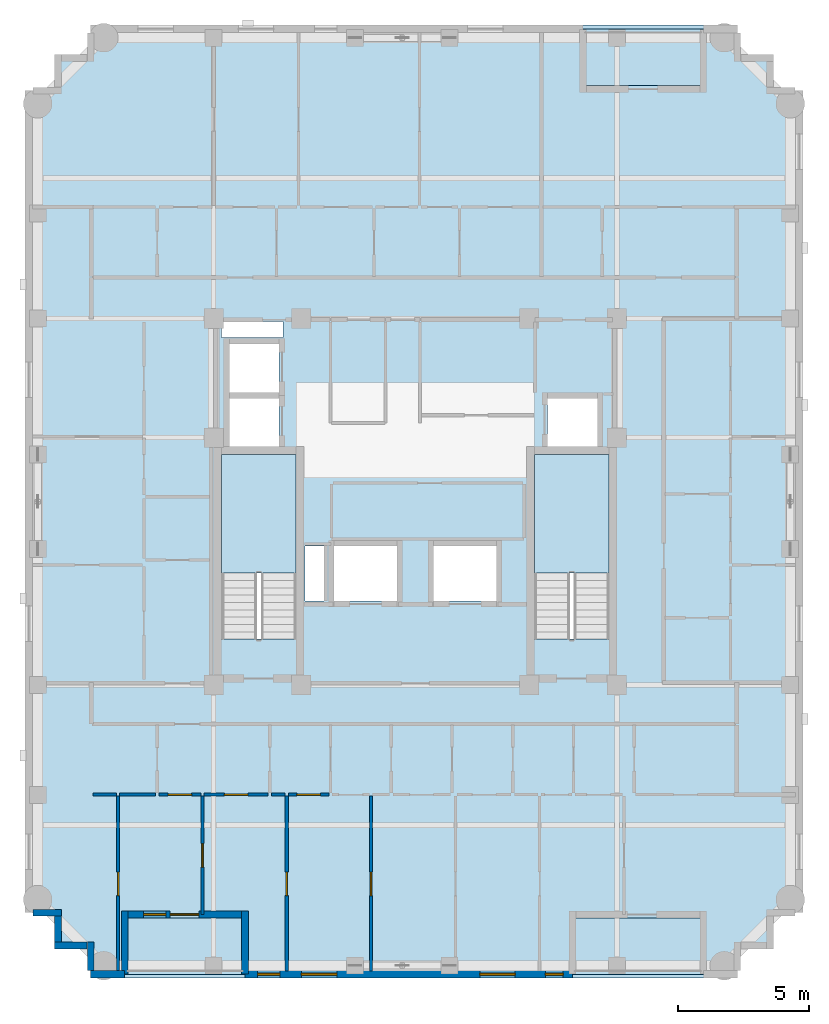
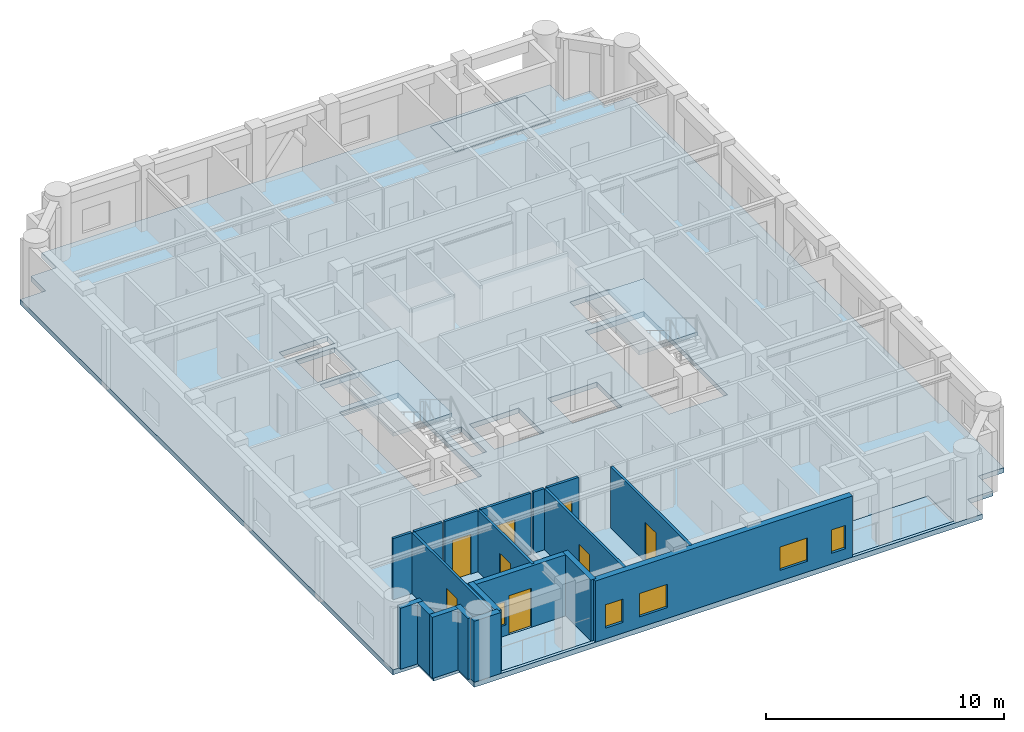
# One storey, part 2 of 11: 19 walls, 8 doors, 6 slabs, 5 windows, 13 openings, 2 elements without a shape of their own.
"""IFC4 building model written with IfcOpenShell, lengths in metres."""

import ifcopenshell
import ifcopenshell.guid

model = None  # the IFC model being written
_history = None  # IfcOwnerHistory: only IFC2X3 demands one
_inside = {}  # id of a spatial element -> (the spatial element, [elements in it])
_under = {}  # id of a project, library or spatial element -> (it, [spatial elements below it])
_declared = {}  # id of a project -> (the project, [libraries it declares])
_typed = {}  # id of a type object -> (the type object, [elements of that type])
_made_of = {}  # id of a material, layer set ... -> (it, [elements and type objects made of it])


def new_model(schema):
    """Start an empty IFC model of exactly this schema.

    Asked for "IFC4X3", IfcOpenShell would pick the latest addendum, in which some entities
    have other attributes; the version numbers below select the first issue.
    IFC2X3 requires an IfcOwnerHistory on every rooted entity: one is made here for all.
    """
    global model, _history
    if schema == "IFC4X3":
        model = ifcopenshell.file(schema_version=(4, 3, 0, 0))
    else:
        model = ifcopenshell.file(schema=schema)
    _inside.clear()
    _under.clear()
    _declared.clear()
    _typed.clear()
    _made_of.clear()
    _history = None
    if model.schema == "IFC2X3":
        org = make("IfcOrganization", Name="unknown")
        user = make(
            "IfcPersonAndOrganization",
            ThePerson=make("IfcPerson", FamilyName="unknown"),
            TheOrganization=org,
        )
        app = make(
            "IfcApplication",
            ApplicationDeveloper=org,
            Version="unknown",
            ApplicationFullName="unknown",
            ApplicationIdentifier="unknown",
        )
        _history = make(
            "IfcOwnerHistory",
            OwningUser=user,
            OwningApplication=app,
            ChangeAction="ADDED",
            CreationDate=0,
        )
    return model


def make(cls, **values):
    """One entity of the class cls with the attributes given. An attribute that is None is left unset."""
    return model.create_entity(
        cls, **{name: value for name, value in values.items() if value is not None}
    )


def rooted(cls, **values):
    """An entity with a GlobalId (a new one), such as an element, a storey or a relation."""
    return make(cls, GlobalId=ifcopenshell.guid.new(), OwnerHistory=_history, **values)


def si_unit(unit_type, name, prefix=None):
    """IfcSIUnit, for example si_unit("LENGTHUNIT", "METRE", prefix="MILLI")."""
    return make("IfcSIUnit", UnitType=unit_type, Prefix=prefix, Name=name)


def derived_unit(unit_type, elements):
    """IfcDerivedUnit: a product of units, each with its exponent."""
    return make(
        "IfcDerivedUnit",
        Elements=[
            make("IfcDerivedUnitElement", Unit=unit, Exponent=power)
            for unit, power in elements
        ],
        UnitType=unit_type,
    )


def assignment(units):
    """IfcUnitAssignment: the units of a project."""
    return None if units is None else make("IfcUnitAssignment", Units=units)


def point(xyz):
    """IfcCartesianPoint."""
    return None if xyz is None else make("IfcCartesianPoint", Coordinates=xyz)


def direction(xyz):
    """IfcDirection."""
    return None if xyz is None else make("IfcDirection", DirectionRatios=xyz)


def frame(location, z_axis=None, x_axis=None):
    """IfcAxis2Placement3D, a coordinate frame: its origin and axes. An axis left out is left unset."""
    return make(
        "IfcAxis2Placement3D",
        Location=point(location),
        Axis=direction(z_axis),
        RefDirection=direction(x_axis),
    )


def frame_2d(location, x_axis=None):
    """IfcAxis2Placement2D, a coordinate frame in the plane: its origin and x axis."""
    return make(
        "IfcAxis2Placement2D", Location=point(location), RefDirection=direction(x_axis)
    )


def origin():
    """The frame at (0, 0, 0) with its axes left unset."""
    return frame((0.0, 0.0, 0.0))


def place(relative_to, where):
    """IfcLocalPlacement: puts the frame where relative to a parent placement (None: the world)."""
    return make(
        "IfcLocalPlacement", PlacementRelTo=relative_to, RelativePlacement=where
    )


def context(
    kind, dimensions, precision=None, world=None, true_north=None, identifier=None
):
    """IfcGeometricRepresentationContext, for example the 3D "Model" context."""
    return make(
        "IfcGeometricRepresentationContext",
        ContextIdentifier=identifier,
        ContextType=kind,
        CoordinateSpaceDimension=dimensions,
        Precision=precision,
        WorldCoordinateSystem=world,
        TrueNorth=true_north,
    )


def subcontext(parent, identifier, kind, view, scale=None):
    """IfcGeometricRepresentationSubContext, for example "Body" below "Model"."""
    return make(
        "IfcGeometricRepresentationSubContext",
        ContextIdentifier=identifier,
        ContextType=kind,
        ParentContext=parent,
        TargetScale=scale,
        TargetView=view,
    )


def project(units=None, contexts=None):
    """IfcProject with its units and contexts."""
    return rooted(
        "IfcProject",
        Name="project",
        RepresentationContexts=contexts,
        UnitsInContext=assignment(units),
    )


def spatial(cls, under=None, at=None, **own):
    """A site, building, storey or space (cls), placed at a placement, below another one or the project."""
    s = rooted(cls, ObjectPlacement=at, **own)
    if under is not None:
        _under.setdefault(under.id(), (under, []))[1].append(s)
    return s


def polyline(points):
    """IfcPolyline through the points."""
    return make("IfcPolyline", Points=[point(p) for p in points])


def profile(cls, at=None, kind="AREA", **sizes):
    """A parametric profile (cls). Its sizes go by their IFC names, for example OverallWidth=200.0."""
    return make(cls, ProfileType=kind, Position=at, **sizes)


def rectangle(**sizes):
    """IfcRectangleProfileDef."""
    return profile("IfcRectangleProfileDef", **sizes)


def outline(outer, holes=None, kind="AREA"):
    """IfcArbitraryClosedProfileDef: a profile drawn as a closed curve; with holes, ...WithVoids."""
    if holes is None:
        return make("IfcArbitraryClosedProfileDef", ProfileType=kind, OuterCurve=outer)
    return make(
        "IfcArbitraryProfileDefWithVoids",
        ProfileType=kind,
        OuterCurve=outer,
        InnerCurves=holes,
    )


def extrude(swept, where, along, depth):
    """IfcExtrudedAreaSolid: the profile swept, set in the frame where, extruded along a direction by depth."""
    return make(
        "IfcExtrudedAreaSolid",
        SweptArea=swept,
        Position=where,
        ExtrudedDirection=direction(along),
        Depth=depth,
    )


def shape(context_of_items, identifier, shape_type, items):
    """IfcShapeRepresentation: the items that make up one representation, for example the "Body"."""
    return make(
        "IfcShapeRepresentation",
        ContextOfItems=context_of_items,
        RepresentationIdentifier=identifier,
        RepresentationType=shape_type,
        Items=items,
    )


def material(Name=None, Category=None):
    """IfcMaterial."""
    return make("IfcMaterial", Name=Name, Category=Category)


def layer(
    of_material, thickness, ventilated=None, Name=None, Category=None, Priority=None
):
    """IfcMaterialLayer: one layer of a wall or slab, of a material (None: an air gap)."""
    return make(
        "IfcMaterialLayer",
        Material=of_material,
        LayerThickness=thickness,
        IsVentilated=ventilated,
        Name=Name,
        Category=Category,
        Priority=Priority,
    )


def layer_set(layers, Name=None):
    """IfcMaterialLayerSet."""
    return make("IfcMaterialLayerSet", MaterialLayers=layers, LayerSetName=Name)


def made_of(thing, what):
    """Note that an element or type object is made of a material, layer set ...; save() writes the relation."""
    if what is not None:
        _made_of.setdefault(what.id(), (what, []))[1].append(thing)
    return thing


def type_object(cls, material=None, **own):
    """A type object (cls), such as IfcWallType, which elements share."""
    return made_of(rooted(cls, **own), material)


def element(
    cls,
    number,
    at=None,
    inside=None,
    cuts=None,
    type_object=None,
    material=None,
    context=None,
    identifier="Body",
    shape_type=None,
    held_by="IfcProductDefinitionShape",
    body=None,
    shapes=None,
    **own,
):
    """One element of the class cls, such as IfcWall. Its Tag is "e" and its number.

    at: its placement. inside: the storey or other place that contains it. cuts: it is an
    opening in that element (IfcRelVoidsElement). A single representation is given by context,
    identifier, shape_type and body (its items); several are given by shapes. held_by: the class
    of the entity that holds the representations. save() writes the other relations.
    """
    e = rooted(cls, Tag="e%d" % number, ObjectPlacement=at, **own)
    if body is not None:
        shapes = [shape(context, identifier, shape_type, body)]
    if shapes is not None:
        e.Representation = make(held_by, Representations=shapes)
    if inside is not None:
        _inside.setdefault(inside.id(), (inside, []))[1].append(e)
    if cuts is not None:
        rooted(
            "IfcRelVoidsElement", RelatingBuildingElement=cuts, RelatedOpeningElement=e
        )
    if type_object is not None:
        _typed.setdefault(type_object.id(), (type_object, []))[1].append(e)
    return made_of(e, material)


def fill(opening, filler):
    """IfcRelFillsElement: the door or window that sits in an opening."""
    return rooted(
        "IfcRelFillsElement",
        RelatingOpeningElement=opening,
        RelatedBuildingElement=filler,
    )


def aggregate(whole, parts):
    """IfcRelAggregates: a whole, such as a stair, and the parts it consists of."""
    return rooted("IfcRelAggregates", RelatingObject=whole, RelatedObjects=parts)


def save(model, path):
    """Write the relations noted so far, then the file.

    IfcRelAggregates (storeys below a building ...), IfcRelContainedInSpatialStructure (elements
    in a storey), IfcRelDefinesByType, IfcRelAssociatesMaterial and IfcRelDeclares: one each for
    every whole, place, type object, material and project.
    """
    for whole, parts in _under.values():
        aggregate(whole, parts)
    for where, things in _inside.values():
        rooted(
            "IfcRelContainedInSpatialStructure",
            RelatedElements=things,
            RelatingStructure=where,
        )
    for kind, things in _typed.values():
        rooted("IfcRelDefinesByType", RelatedObjects=things, RelatingType=kind)
    for what, things in _made_of.values():
        rooted("IfcRelAssociatesMaterial", RelatedObjects=things, RelatingMaterial=what)
    for by, libraries in _declared.values():
        rooted("IfcRelDeclares", RelatingContext=by, RelatedDefinitions=libraries)
    model.write(path)


model = new_model("IFC4")

# Units and contexts
model_context = context("Model", 3, precision=1e-05, world=origin(), true_north=direction((0.0, 1.0)))
body_context = subcontext(model_context, "Body", "Model", "MODEL_VIEW")
ifc_project = project(units=[si_unit("LENGTHUNIT", "METRE"), si_unit("AREAUNIT", "SQUARE_METRE"), si_unit("VOLUMEUNIT", "CUBIC_METRE"), si_unit("PLANEANGLEUNIT", "RADIAN"), si_unit("MASSUNIT", "GRAM", prefix="KILO"), derived_unit("THERMALTRANSMITTANCEUNIT", [(si_unit("MASSUNIT", "GRAM", prefix="KILO"), 1), (si_unit("TIMEUNIT", "SECOND"), -3), (si_unit("THERMODYNAMICTEMPERATUREUNIT", "KELVIN"), -1)])], contexts=[model_context])

# Site, building, storey
site_placement = place(None, origin())
site = spatial("IfcSite", under=ifc_project, at=site_placement, CompositionType="ELEMENT")
building_placement = place(site_placement, origin())
building = spatial("IfcBuilding", under=site, at=building_placement, Name="Korrvale Station Residences", CompositionType="ELEMENT")
storey_placement = place(building_placement, frame((0.0, 0.0, 227.5)))
storey = spatial("IfcBuildingStorey", under=building, at=storey_placement, Name="L66", CompositionType="ELEMENT", Elevation=227.5)

# Slabs
ifc_material_1 = material(Name="Concrete C50/60", Category="concrete")
ifc_layer_1 = layer(ifc_material_1, 0.219970703125, Name="Concrete C50/60")
ifc_layer_set_1 = layer_set([ifc_layer_1], Name="Concrete C50/60")
slab_type_1 = type_object("IfcSlabType", Name="SLB-BAL-220", PredefinedType="FLOOR", material=ifc_layer_set_1)
slab_1_placement = place(storey_placement, frame((0.0, 0.0, -0.219970703125)))
element("IfcSlab", 1, at=slab_1_placement, inside=storey, type_object=slab_type_1, Name="L66 Recessed Loggia Balcony Slab BAL-L66-S1", PredefinedType="FLOOR", context=body_context, shape_type="SweptSolid", body=[
    extrude(outline(polyline([(14.39990234375, 3.949951171875), (19.0, 3.949951171875), (19.0, 6.10009765625), (14.39990234375, 6.10009765625), (14.39990234375, 3.949951171875)])), origin(), (0.0, 0.0, 1.0), 0.219970703125),
])
slab_2_placement = place(storey_placement, frame((0.0, 0.0, -0.219970703125)))
element("IfcSlab", 2, at=slab_2_placement, inside=storey, type_object=slab_type_1, Name="L66 Recessed Loggia Balcony Slab BAL-L66-N1", PredefinedType="FLOOR", context=body_context, shape_type="SweptSolid", body=[
    extrude(outline(polyline([(31.89990234375, 37.89990234375), (36.5, 37.89990234375), (36.5, 40.050048828125), (31.89990234375, 40.050048828125), (31.89990234375, 37.89990234375)])), origin(), (0.0, 0.0, 1.0), 0.219970703125),
])
slab_3_placement = place(storey_placement, frame((0.0, 0.0, -0.219970703125)))
element("IfcSlab", 3, at=slab_3_placement, inside=storey, type_object=slab_type_1, Name="L66 Recessed Loggia Balcony Slab BAL-L66-S2", PredefinedType="FLOOR", context=body_context, shape_type="SweptSolid", body=[
    extrude(outline(polyline([(31.5, 3.949951171875), (36.5, 3.949951171875), (36.5, 6.10009765625), (31.5, 6.10009765625), (31.5, 3.949951171875)])), origin(), (0.0, 0.0, 1.0), 0.219970703125),
])
ifc_layer_2 = layer(ifc_material_1, 0.260009765625, Name="Concrete C50/60")
ifc_layer_set_2 = layer_set([ifc_layer_2], Name="Concrete C50/60")
slab_type_2 = type_object("IfcSlabType", Name="SLB-FLR-260", PredefinedType="FLOOR", material=ifc_layer_set_2)
slab_4_placement = place(storey_placement, frame((0.0, 0.0, -0.260009765625)))
element("IfcSlab", 4, at=slab_4_placement, inside=storey, type_object=slab_type_2, Name="L66 Suspended Structural Floor Slab", PredefinedType="FLOOR", context=body_context, shape_type="SweptSolid", body=[
    extrude(outline(polyline([(13.10009765625, 3.800048828125), (37.800048828125, 3.800048828125), (37.800048828125, 5.050048828125), (39.050048828125, 5.050048828125), (39.050048828125, 6.300048828125), (40.300048828125, 6.300048828125), (40.300048828125, 37.699951171875), (39.050048828125, 37.699951171875), (39.050048828125, 38.949951171875), (37.800048828125, 38.949951171875), (37.800048828125, 40.199951171875), (13.10009765625, 40.199951171875), (13.10009765625, 38.949951171875), (11.85009765625, 38.949951171875), (11.85009765625, 37.699951171875), (10.60009765625, 37.699951171875), (10.60009765625, 6.300048828125), (11.85009765625, 6.300048828125), (11.85009765625, 5.050048828125), (13.10009765625, 5.050048828125), (13.10009765625, 3.800048828125)]), holes=[polyline([(20.949951171875, 16.751953125), (20.949951171875, 23.800048828125), (18.10009765625, 23.800048828125), (18.10009765625, 16.751953125), (20.949951171875, 16.751953125)]), polyline([(32.89990234375, 16.751953125), (32.89990234375, 23.800048828125), (30.050048828125, 23.800048828125), (30.050048828125, 16.751953125), (32.89990234375, 16.751953125)]), polyline([(18.39990234375, 24.10009765625), (20.300048828125, 24.10009765625), (20.300048828125, 25.949951171875), (18.39990234375, 25.949951171875), (18.39990234375, 24.10009765625)]), polyline([(18.39990234375, 26.169921875), (20.300048828125, 26.169921875), (20.300048828125, 28.02001953125), (18.39990234375, 28.02001953125), (18.39990234375, 26.169921875)]), polyline([(30.550048828125, 24.10009765625), (32.449951171875, 24.10009765625), (32.449951171875, 25.949951171875), (30.550048828125, 25.949951171875), (30.550048828125, 24.10009765625)]), polyline([(22.39990234375, 18.199951171875), (24.800048828125, 18.199951171875), (24.800048828125, 20.300048828125), (22.39990234375, 20.300048828125), (22.39990234375, 18.199951171875)]), polyline([(26.199951171875, 18.199951171875), (28.60009765625, 18.199951171875), (28.60009765625, 20.300048828125), (26.199951171875, 20.300048828125), (26.199951171875, 18.199951171875)]), polyline([(18.10009765625, 28.280029296875), (20.449951171875, 28.280029296875), (20.449951171875, 28.8798828125), (18.10009765625, 28.8798828125), (18.10009765625, 28.280029296875)]), polyline([(21.280029296875, 18.199951171875), (22.02001953125, 18.199951171875), (22.02001953125, 20.300048828125), (21.280029296875, 20.300048828125), (21.280029296875, 18.199951171875)]), polyline([(14.39990234375, 3.949951171875), (19.0, 3.949951171875), (19.0, 6.10009765625), (14.39990234375, 6.10009765625), (14.39990234375, 3.949951171875)]), polyline([(31.89990234375, 37.89990234375), (36.5, 37.89990234375), (36.5, 40.050048828125), (31.89990234375, 40.050048828125), (31.89990234375, 37.89990234375)]), polyline([(31.5, 3.949951171875), (36.5, 3.949951171875), (36.5, 6.10009765625), (31.5, 6.10009765625), (31.5, 3.949951171875)])]), origin(), (0.0, 0.0, 1.0), 0.260009765625),
])

# Stair, slab
stair_type = type_object("IfcStairType", Name="STR-DL-1350-20R-1700", PredefinedType="HALF_TURN_STAIR", material=ifc_material_1)
stair_1_placement = place(storey_placement, origin())
stair_1 = element("IfcStair", 5, at=stair_1_placement, inside=storey, type_object=stair_type, Name="L66 Exit Stair 1", PredefinedType="HALF_TURN_STAIR")
ifc_layer_3 = layer(ifc_material_1, 0.199951171875, Name="Concrete C50/60")
ifc_layer_set_3 = layer_set([ifc_layer_3], Name="Concrete C50/60")
slab_type_3 = type_object("IfcSlabType", Name="SLB-LND-200", PredefinedType="LANDING", material=ifc_layer_set_3)
slab_5_placement = place(storey_placement, frame((0.0, 0.0, 1.5)))
slab_5 = element("IfcSlab", 6, at=slab_5_placement, type_object=slab_type_3, Name="ST-1 landing 1", PredefinedType="LANDING", context=body_context, shape_type="SweptSolid", body=[
    extrude(outline(polyline([(20.949951171875, 19.27001953125), (20.949951171875, 23.800048828125), (18.10009765625, 23.800048828125), (18.10009765625, 19.27001953125), (20.949951171875, 19.27001953125)])), origin(), (0.0, 0.0, 1.0), 0.199951171875),
])
aggregate(stair_1, [slab_5])

stair_2_placement = place(storey_placement, origin())
stair_2 = element("IfcStair", 7, at=stair_2_placement, inside=storey, type_object=stair_type, Name="L66 Exit Stair 2", PredefinedType="HALF_TURN_STAIR")
slab_6_placement = place(storey_placement, frame((0.0, 0.0, 1.5)))
slab_6 = element("IfcSlab", 8, at=slab_6_placement, type_object=slab_type_3, Name="ST-2 landing 1", PredefinedType="LANDING", context=body_context, shape_type="SweptSolid", body=[
    extrude(outline(polyline([(32.89990234375, 19.27001953125), (32.89990234375, 23.800048828125), (30.050048828125, 23.800048828125), (30.050048828125, 19.27001953125), (32.89990234375, 19.27001953125)])), origin(), (0.0, 0.0, 1.0), 0.199951171875),
])
aggregate(stair_2, [slab_6])

# Wall
ifc_material_2 = material(Name="Precast concrete C45/55", Category="concrete")
ifc_layer_4 = layer(ifc_material_2, 0.260009765625, Name="Precast concrete C45/55")
ifc_layer_set_4 = layer_set([ifc_layer_4], Name="Precast concrete C45/55")
wall_type_1 = type_object("IfcWallType", Name="WAL-EXT-LOG260", PredefinedType="SOLIDWALL", material=ifc_layer_set_4)
wall_1_placement = place(storey_placement, frame((19.0, 3.9599609375, 0.0), z_axis=(0.0, 0.0, 1.0), x_axis=(0.0, 1.0, 0.0)))
element("IfcWall", 9, at=wall_1_placement, inside=storey, type_object=wall_type_1, Name="L66 Recessed Loggia Wall BAL-L66-S1-L", PredefinedType="SOLIDWALL", context=body_context, shape_type="SweptSolid", body=[
    extrude(rectangle(XDim=2.400146484375, YDim=0.260009765625, at=frame_2d((1.2001953125, 0.0))), origin(), (0.0, 0.0, 1.0), 3.139892578125),
])

# Wall, openings, door, window
wall_2_placement = place(storey_placement, frame((18.865966796875, 6.22998046875, 0.0), z_axis=(0.0, 0.0, 1.0), x_axis=(-1.0, 0.0, 0.0)))
wall_2 = element("IfcWall", 10, at=wall_2_placement, inside=storey, type_object=wall_type_1, Name="L66 Recessed Loggia Wall BAL-L66-S1-B", PredefinedType="SOLIDWALL", context=body_context, shape_type="SweptSolid", body=[
    extrude(rectangle(XDim=4.33203125, YDim=0.260009765625, at=frame_2d((2.166015625, 0.0))), origin(), (0.0, 0.0, 1.0), 3.139892578125),
])
opening_1_placement = place(wall_2_placement, frame((1.635986328125, 0.0, 0.0)))
opening_1 = element("IfcOpeningElement", 11, at=opening_1_placement, cuts=wall_2, Name="Opening BD-01", PredefinedType="OPENING", context=body_context, shape_type="SweptSolid", body=[
    extrude(rectangle(XDim=1.10009765625, YDim=2.0, at=frame_2d((0.550048828125, 1.0))), frame((0.0, 0.14013671875, 0.0), z_axis=(0.0, -1.0, 0.0), x_axis=(1.0, 0.0, 0.0)), (0.0, 0.0, 1.0), 0.280029296875),
])
opening_2_placement = place(wall_2_placement, frame((2.89599609375, 0.0, 0.550048828125)))
opening_2 = element("IfcOpeningElement", 12, at=opening_2_placement, cuts=wall_2, Name="Opening W-11", PredefinedType="OPENING", context=body_context, shape_type="SweptSolid", body=[
    extrude(rectangle(XDim=0.85009765625, YDim=1.199951171875, at=frame_2d((0.425048828125, 0.60009765625))), frame((0.0, 0.14013671875, 0.0), z_axis=(0.0, -1.0, 0.0), x_axis=(1.0, 0.0, 0.0)), (0.0, 0.0, 1.0), 0.280029296875),
])
ifc_material_3 = material(Name="Exterior thermally broken aluminium glazed balcony door", Category="aluminium")
door_type_1 = type_object("IfcDoorType", Name="DR-EXT-BAL", OperationType="NOTDEFINED", PredefinedType="DOOR", material=ifc_material_3)
door_1_placement = place(opening_1_placement, origin())
door_1 = element("IfcDoor", 13, at=door_1_placement, inside=storey, type_object=door_type_1, Name="L66 Loggia Balcony Door BAL-L66-S1", OperationType="SINGLE_SWING_LEFT", OverallHeight=2.0, OverallWidth=1.10009765625, PredefinedType="DOOR", context=body_context, shape_type="SweptSolid", body=[
    extrude(rectangle(XDim=1.10009765625, YDim=2.0, at=frame_2d((0.550048828125, 1.0))), frame((0.0, 0.02490234375, 0.0), z_axis=(0.0, -1.0, 0.0), x_axis=(1.0, 0.0, 0.0)), (0.0, 0.0, 1.0), 0.050048828125),
])
fill(opening_1, door_1)
ifc_material_4 = material(Name="Thermally broken aluminium frame with triple low-e glazing", Category="aluminium")
window_type_1 = type_object("IfcWindowType", Name="WIN-W11", PartitioningType="SINGLE_PANEL", PredefinedType="WINDOW", material=ifc_material_4)
window_1_placement = place(opening_2_placement, origin())
window_1 = element("IfcWindow", 14, at=window_1_placement, inside=storey, type_object=window_type_1, Name="L66 Punched Window 02", OverallHeight=1.199951171875, OverallWidth=0.85009765625, PartitioningType="SINGLE_PANEL", PredefinedType="WINDOW", context=body_context, shape_type="SweptSolid", body=[
    extrude(rectangle(XDim=0.85009765625, YDim=1.199951171875, at=frame_2d((0.425048828125, 0.60009765625))), frame((0.0, 0.030029296875, 0.0), z_axis=(0.0, -1.0, 0.0), x_axis=(1.0, 0.0, 0.0)), (0.0, 0.0, 1.0), 0.06005859375),
])
fill(opening_2, window_1)

# Walls
wall_3_placement = place(storey_placement, frame((14.39990234375, 6.360107421875, 0.0), z_axis=(0.0, 0.0, 1.0), x_axis=(0.0, -1.0, 0.0)))
element("IfcWall", 15, at=wall_3_placement, inside=storey, type_object=wall_type_1, Name="L66 Recessed Loggia Wall BAL-L66-S1-R", PredefinedType="SOLIDWALL", context=body_context, shape_type="SweptSolid", body=[
    extrude(rectangle(XDim=2.400146484375, YDim=0.260009765625, at=frame_2d((1.2001953125, 0.0))), origin(), (0.0, 0.0, 1.0), 3.139892578125),
])
wall_4_placement = place(storey_placement, frame((13.10009765625, 4.10205078125, 0.0), z_axis=(0.0, 0.0, 1.0), x_axis=(0.0, 1.0, 0.0)))
element("IfcWall", 16, at=wall_4_placement, inside=storey, type_object=wall_type_1, Name="L66 Serrated Corner Precast Step SW-1", PredefinedType="SOLIDWALL", context=body_context, shape_type="SweptSolid", body=[
    extrude(rectangle(XDim=1.077880859375, YDim=0.260009765625, at=frame_2d((0.5390625, 0.0))), origin(), (0.0, 0.0, 1.0), 3.139892578125),
])
wall_5_placement = place(storey_placement, frame((12.968017578125, 5.050048828125, 0.0), z_axis=(0.0, 0.0, 1.0), x_axis=(-1.0, 0.0, 0.0)))
element("IfcWall", 17, at=wall_5_placement, inside=storey, type_object=wall_type_1, Name="L66 Serrated Corner Precast Step SW-2", PredefinedType="SOLIDWALL", context=body_context, shape_type="SweptSolid", body=[
    extrude(rectangle(XDim=1.248046875, YDim=0.260009765625, at=frame_2d((0.6240234375, 0.0))), origin(), (0.0, 0.0, 1.0), 3.139892578125),
])
wall_6_placement = place(storey_placement, frame((11.85009765625, 5.181884765625, 0.0), z_axis=(0.0, 0.0, 1.0), x_axis=(0.0, 1.0, 0.0)))
element("IfcWall", 18, at=wall_6_placement, inside=storey, type_object=wall_type_1, Name="L66 Serrated Corner Precast Step SW-3", PredefinedType="SOLIDWALL", context=body_context, shape_type="SweptSolid", body=[
    extrude(rectangle(XDim=0.986083984375, YDim=0.260009765625, at=frame_2d((0.4931640625, 0.0))), origin(), (0.0, 0.0, 1.0), 3.139892578125),
])
wall_7_placement = place(storey_placement, frame((11.97998046875, 6.300048828125, 0.0), z_axis=(0.0, 0.0, 1.0), x_axis=(-1.0, 0.0, 0.0)))
element("IfcWall", 19, at=wall_7_placement, inside=storey, type_object=wall_type_1, Name="L66 Serrated Corner Precast Step SW-4", PredefinedType="SOLIDWALL", context=body_context, shape_type="SweptSolid", body=[
    extrude(rectangle(XDim=1.077880859375, YDim=0.260009765625, at=frame_2d((0.5390625, 0.0))), origin(), (0.0, 0.0, 1.0), 3.139892578125),
])

# Wall, openings, windows
ifc_layer_5 = layer(ifc_material_2, 0.300048828125, Name="Precast concrete C45/55")
ifc_layer_set_5 = layer_set([ifc_layer_5], Name="Precast concrete C45/55")
wall_type_2 = type_object("IfcWallType", Name="WAL-EXT-PC300", PredefinedType="SOLIDWALL", material=ifc_layer_set_5)
wall_8_placement = place(storey_placement, frame((31.5, 3.949951171875, 0.0), z_axis=(0.0, 0.0, 1.0), x_axis=(-1.0, 0.0, 0.0)))
wall_8 = element("IfcWall", 20, at=wall_8_placement, inside=storey, type_object=wall_type_2, Name="L66 South Exterior Precast Wall 2", PredefinedType="SOLIDWALL", context=body_context, shape_type="SweptSolid", body=[
    extrude(rectangle(XDim=12.5, YDim=0.300048828125, at=frame_2d((6.25, 0.0))), origin(), (0.0, 0.0, 1.0), 3.139892578125),
])
opening_3_placement = place(wall_8_placement, frame((11.1708984375, 0.0, 0.550048828125)))
opening_3 = element("IfcOpeningElement", 21, at=opening_3_placement, cuts=wall_8, Name="Opening W-11", PredefinedType="OPENING", context=body_context, shape_type="SweptSolid", body=[
    extrude(rectangle(XDim=0.85009765625, YDim=1.199951171875, at=frame_2d((0.425048828125, 0.60009765625))), frame((0.0, 0.16015625, 0.0), z_axis=(0.0, -1.0, 0.0), x_axis=(1.0, 0.0, 0.0)), (0.0, 0.0, 1.0), 0.320068359375),
])
opening_4_placement = place(wall_8_placement, frame((9.0, 0.0, 0.550048828125)))
opening_4 = element("IfcOpeningElement", 22, at=opening_4_placement, cuts=wall_8, Name="Opening W-10", PredefinedType="OPENING", context=body_context, shape_type="SweptSolid", body=[
    extrude(rectangle(XDim=1.35009765625, YDim=1.199951171875, at=frame_2d((0.675048828125, 0.60009765625))), frame((0.0, 0.16015625, 0.0), z_axis=(0.0, -1.0, 0.0), x_axis=(1.0, 0.0, 0.0)), (0.0, 0.0, 1.0), 0.320068359375),
])
opening_5_placement = place(wall_8_placement, frame((2.18603515625, 0.0, 0.550048828125)))
opening_5 = element("IfcOpeningElement", 23, at=opening_5_placement, cuts=wall_8, Name="Opening W-10", PredefinedType="OPENING", context=body_context, shape_type="SweptSolid", body=[
    extrude(rectangle(XDim=1.35009765625, YDim=1.199951171875, at=frame_2d((0.675048828125, 0.60009765625))), frame((0.0, 0.16015625, 0.0), z_axis=(0.0, -1.0, 0.0), x_axis=(1.0, 0.0, 0.0)), (0.0, 0.0, 1.0), 0.320068359375),
])
opening_6_placement = place(wall_8_placement, frame((0.35009765625, 0.0, 0.550048828125)))
opening_6 = element("IfcOpeningElement", 24, at=opening_6_placement, cuts=wall_8, Name="Opening W-12", PredefinedType="OPENING", context=body_context, shape_type="SweptSolid", body=[
    extrude(rectangle(XDim=0.679931640625, YDim=1.199951171875, at=frame_2d((0.33984375, 0.60009765625))), frame((0.0, 0.16015625, 0.0), z_axis=(0.0, -1.0, 0.0), x_axis=(1.0, 0.0, 0.0)), (0.0, 0.0, 1.0), 0.320068359375),
])
window_type_2 = type_object("IfcWindowType", Name="WIN-W10", PartitioningType="SINGLE_PANEL", PredefinedType="WINDOW", material=ifc_material_4)
window_2_placement = place(opening_4_placement, origin())
window_2 = element("IfcWindow", 25, at=window_2_placement, inside=storey, type_object=window_type_2, Name="L66 Punched Window 04", OverallHeight=1.199951171875, OverallWidth=1.35009765625, PartitioningType="SINGLE_PANEL", PredefinedType="WINDOW", context=body_context, shape_type="SweptSolid", body=[
    extrude(rectangle(XDim=1.35009765625, YDim=1.199951171875, at=frame_2d((0.675048828125, 0.60009765625))), frame((0.0, 0.030029296875, 0.0), z_axis=(0.0, -1.0, 0.0), x_axis=(1.0, 0.0, 0.0)), (0.0, 0.0, 1.0), 0.06005859375),
])
fill(opening_4, window_2)
window_3_placement = place(opening_5_placement, origin())
window_3 = element("IfcWindow", 26, at=window_3_placement, inside=storey, type_object=window_type_2, Name="L66 Punched Window 05", OverallHeight=1.199951171875, OverallWidth=1.35009765625, PartitioningType="SINGLE_PANEL", PredefinedType="WINDOW", context=body_context, shape_type="SweptSolid", body=[
    extrude(rectangle(XDim=1.35009765625, YDim=1.199951171875, at=frame_2d((0.675048828125, 0.60009765625))), frame((0.0, 0.030029296875, 0.0), z_axis=(0.0, -1.0, 0.0), x_axis=(1.0, 0.0, 0.0)), (0.0, 0.0, 1.0), 0.06005859375),
])
fill(opening_5, window_3)
window_4_placement = place(opening_3_placement, origin())
window_4 = element("IfcWindow", 27, at=window_4_placement, inside=storey, type_object=window_type_1, Name="L66 Punched Window 03", OverallHeight=1.199951171875, OverallWidth=0.85009765625, PartitioningType="SINGLE_PANEL", PredefinedType="WINDOW", context=body_context, shape_type="SweptSolid", body=[
    extrude(rectangle(XDim=0.85009765625, YDim=1.199951171875, at=frame_2d((0.425048828125, 0.60009765625))), frame((0.0, 0.030029296875, 0.0), z_axis=(0.0, -1.0, 0.0), x_axis=(1.0, 0.0, 0.0)), (0.0, 0.0, 1.0), 0.06005859375),
])
fill(opening_3, window_4)
window_type_3 = type_object("IfcWindowType", Name="WIN-W12", PartitioningType="SINGLE_PANEL", PredefinedType="WINDOW", material=ifc_material_4)
window_5_placement = place(opening_6_placement, origin())
window_5 = element("IfcWindow", 28, at=window_5_placement, inside=storey, type_object=window_type_3, Name="L66 Punched Window 06", OverallHeight=1.199951171875, OverallWidth=0.679931640625, PartitioningType="SINGLE_PANEL", PredefinedType="WINDOW", context=body_context, shape_type="SweptSolid", body=[
    extrude(rectangle(XDim=0.679931640625, YDim=1.199951171875, at=frame_2d((0.33984375, 0.60009765625))), frame((0.0, 0.030029296875, 0.0), z_axis=(0.0, -1.0, 0.0), x_axis=(1.0, 0.0, 0.0)), (0.0, 0.0, 1.0), 0.06005859375),
])
fill(opening_6, window_5)

# Walls
wall_9_placement = place(storey_placement, frame((14.39990234375, 3.949951171875, 0.0), z_axis=(0.0, 0.0, 1.0), x_axis=(-1.0, 0.0, 0.0)))
element("IfcWall", 29, at=wall_9_placement, inside=storey, type_object=wall_type_2, Name="L66 South Exterior Precast Wall 3", PredefinedType="SOLIDWALL", context=body_context, shape_type="SweptSolid", body=[
    extrude(rectangle(XDim=1.2998046875, YDim=0.300048828125, at=frame_2d((0.64990234375, 0.0))), origin(), (0.0, 0.0, 1.0), 3.139892578125),
])
ifc_material_5 = material(Name="Acoustic steel-stud gypsum board partition", Category="steel")
ifc_layer_6 = layer(ifc_material_5, 0.1201171875, Name="Acoustic steel-stud gypsum board partition")
ifc_layer_set_6 = layer_set([ifc_layer_6], Name="Acoustic steel-stud gypsum board partition")
wall_type_3 = type_object("IfcWallType", Name="WAL-PART-125", PredefinedType="PARTITIONING", material=ifc_layer_set_6)
wall_10_placement = place(storey_placement, frame((13.179931640625, 10.81005859375, 0.0), z_axis=(0.0, 0.0, 1.0), x_axis=(1.0, 0.0, 0.0)))
element("IfcWall", 30, at=wall_10_placement, inside=storey, type_object=wall_type_3, Name="L66 Suite Partition U01-H09", PredefinedType="PARTITIONING", context=body_context, shape_type="SweptSolid", body=[
    extrude(rectangle(XDim=0.91015625, YDim=0.1201171875, at=frame_2d((0.455078125, 0.0))), origin(), (0.0, 0.0, 1.0), 3.139892578125),
])
wall_11_placement = place(storey_placement, frame((14.2099609375, 10.81005859375, 0.0), z_axis=(0.0, 0.0, 1.0), x_axis=(1.0, 0.0, 0.0)))
element("IfcWall", 31, at=wall_11_placement, inside=storey, type_object=wall_type_3, Name="L66 Suite Partition U01-H010", PredefinedType="PARTITIONING", context=body_context, shape_type="SweptSolid", body=[
    extrude(rectangle(XDim=1.3701171875, YDim=0.1201171875, at=frame_2d((0.68505859375, 0.0))), origin(), (0.0, 0.0, 1.0), 3.139892578125),
])

# Wall, opening, door
wall_12_placement = place(storey_placement, frame((15.699951171875, 10.81005859375, 0.0), z_axis=(0.0, 0.0, 1.0), x_axis=(1.0, 0.0, 0.0)))
wall_12 = element("IfcWall", 32, at=wall_12_placement, inside=storey, type_object=wall_type_3, Name="L66 Suite Partition U01-H110", PredefinedType="PARTITIONING", context=body_context, shape_type="SweptSolid", body=[
    extrude(rectangle(XDim=1.610107421875, YDim=0.1201171875, at=frame_2d((0.80517578125, 0.0))), origin(), (0.0, 0.0, 1.0), 3.139892578125),
])
opening_7_placement = place(wall_12_placement, frame((0.35498046875, 0.0, 0.0)))
opening_7 = element("IfcOpeningElement", 33, at=opening_7_placement, cuts=wall_12, Name="Opening DI-900", PredefinedType="OPENING", context=body_context, shape_type="SweptSolid", body=[
    extrude(rectangle(XDim=0.89990234375, YDim=2.050048828125, at=frame_2d((0.449951171875, 1.02490234375))), frame((0.0, 0.070068359375, 0.0), z_axis=(0.0, -1.0, 0.0), x_axis=(1.0, 0.0, 0.0)), (0.0, 0.0, 1.0), 0.14013671875),
])
ifc_material_6 = material(Name="Painted solid-core timber interior room door", Category="wood")
door_type_2 = type_object("IfcDoorType", Name="DR-INT-900", OperationType="NOTDEFINED", PredefinedType="DOOR", material=ifc_material_6)
door_2_placement = place(opening_7_placement, origin())
door_2 = element("IfcDoor", 34, at=door_2_placement, inside=storey, type_object=door_type_2, Name="L66 Studio Apartment L66-U01 Kitchen Door", OperationType="SINGLE_SWING_LEFT", OverallHeight=2.050048828125, OverallWidth=0.89990234375, PredefinedType="DOOR", context=body_context, shape_type="SweptSolid", body=[
    extrude(rectangle(XDim=0.89990234375, YDim=2.050048828125, at=frame_2d((0.449951171875, 1.02490234375))), frame((0.0, 0.02490234375, 0.0), z_axis=(0.0, -1.0, 0.0), x_axis=(1.0, 0.0, 0.0)), (0.0, 0.0, 1.0), 0.050048828125),
])
fill(opening_7, door_2)

wall_13_placement = place(storey_placement, frame((17.429931640625, 10.81005859375, 0.0), z_axis=(0.0, 0.0, 1.0), x_axis=(1.0, 0.0, 0.0)))
wall_13 = element("IfcWall", 35, at=wall_13_placement, inside=storey, type_object=wall_type_3, Name="L66 Suite Partition U01-H111", PredefinedType="PARTITIONING", context=body_context, shape_type="SweptSolid", body=[
    extrude(rectangle(XDim=2.449951171875, YDim=0.1201171875, at=frame_2d((1.22509765625, 0.0))), origin(), (0.0, 0.0, 1.0), 3.139892578125),
])
opening_8_placement = place(wall_13_placement, frame((0.77490234375, 0.0, 0.0)))
opening_8 = element("IfcOpeningElement", 36, at=opening_8_placement, cuts=wall_13, Name="Opening DI-900", PredefinedType="OPENING", context=body_context, shape_type="SweptSolid", body=[
    extrude(rectangle(XDim=0.89990234375, YDim=2.050048828125, at=frame_2d((0.449951171875, 1.02490234375))), frame((0.0, 0.070068359375, 0.0), z_axis=(0.0, -1.0, 0.0), x_axis=(1.0, 0.0, 0.0)), (0.0, 0.0, 1.0), 0.14013671875),
])
door_3_placement = place(opening_8_placement, origin())
door_3 = element("IfcDoor", 37, at=door_3_placement, inside=storey, type_object=door_type_2, Name="L66 Studio Apartment L66-U01 Kitchen Door", OperationType="SINGLE_SWING_RIGHT", OverallHeight=2.050048828125, OverallWidth=0.89990234375, PredefinedType="DOOR", context=body_context, shape_type="SweptSolid", body=[
    extrude(rectangle(XDim=0.89990234375, YDim=2.050048828125, at=frame_2d((0.449951171875, 1.02490234375))), frame((0.0, 0.02490234375, 0.0), z_axis=(0.0, -1.0, 0.0), x_axis=(1.0, 0.0, 0.0)), (0.0, 0.0, 1.0), 0.050048828125),
])
fill(opening_8, door_3)

# Wall
wall_14_placement = place(storey_placement, frame((20.0, 10.81005859375, 0.0), z_axis=(0.0, 0.0, 1.0), x_axis=(1.0, 0.0, 0.0)))
element("IfcWall", 38, at=wall_14_placement, inside=storey, type_object=wall_type_3, Name="L66 Suite Partition U01-H211", PredefinedType="PARTITIONING", context=body_context, shape_type="SweptSolid", body=[
    extrude(rectangle(XDim=0.530029296875, YDim=0.1201171875, at=frame_2d((0.26513671875, 0.0))), origin(), (0.0, 0.0, 1.0), 3.139892578125),
])

# Wall, opening, door
wall_15_placement = place(storey_placement, frame((20.64990234375, 10.81005859375, 0.0), z_axis=(0.0, 0.0, 1.0), x_axis=(1.0, 0.0, 0.0)))
wall_15 = element("IfcWall", 39, at=wall_15_placement, inside=storey, type_object=wall_type_3, Name="L66 Suite Partition U01-H212", PredefinedType="PARTITIONING", context=body_context, shape_type="SweptSolid", body=[
    extrude(rectangle(XDim=1.550048828125, YDim=0.1201171875, at=frame_2d((0.77490234375, 0.0))), origin(), (0.0, 0.0, 1.0), 3.139892578125),
])
opening_9_placement = place(wall_15_placement, frame((0.324951171875, 0.0, 0.0)))
opening_9 = element("IfcOpeningElement", 40, at=opening_9_placement, cuts=wall_15, Name="Opening DI-900", PredefinedType="OPENING", context=body_context, shape_type="SweptSolid", body=[
    extrude(rectangle(XDim=0.89990234375, YDim=2.050048828125, at=frame_2d((0.449951171875, 1.02490234375))), frame((0.0, 0.070068359375, 0.0), z_axis=(0.0, -1.0, 0.0), x_axis=(1.0, 0.0, 0.0)), (0.0, 0.0, 1.0), 0.14013671875),
])
door_4_placement = place(opening_9_placement, origin())
door_4 = element("IfcDoor", 41, at=door_4_placement, inside=storey, type_object=door_type_2, Name="L66 Studio Apartment L66-U01 Wardrobe Storage Room Door", OperationType="SINGLE_SWING_RIGHT", OverallHeight=2.050048828125, OverallWidth=0.89990234375, PredefinedType="DOOR", context=body_context, shape_type="SweptSolid", body=[
    extrude(rectangle(XDim=0.89990234375, YDim=2.050048828125, at=frame_2d((0.449951171875, 1.02490234375))), frame((0.0, 0.02490234375, 0.0), z_axis=(0.0, -1.0, 0.0), x_axis=(1.0, 0.0, 0.0)), (0.0, 0.0, 1.0), 0.050048828125),
])
fill(opening_9, door_4)

wall_16_placement = place(storey_placement, frame((14.14990234375, 4.080078125, 0.0), z_axis=(0.0, 0.0, 1.0), x_axis=(0.0, 1.0, 0.0)))
wall_16 = element("IfcWall", 42, at=wall_16_placement, inside=storey, type_object=wall_type_3, Name="L66 Suite Partition U01-V910", PredefinedType="PARTITIONING", context=body_context, shape_type="SweptSolid", body=[
    extrude(rectangle(XDim=6.669921875, YDim=0.1201171875, at=frame_2d((3.3349609375, 0.0))), origin(), (0.0, 0.0, 1.0), 3.139892578125),
])
opening_10_placement = place(wall_16_placement, frame((2.8701171875, 0.0, 0.0)))
opening_10 = element("IfcOpeningElement", 43, at=opening_10_placement, cuts=wall_16, Name="Opening DI-900", PredefinedType="OPENING", context=body_context, shape_type="SweptSolid", body=[
    extrude(rectangle(XDim=0.89990234375, YDim=2.050048828125, at=frame_2d((0.449951171875, 1.02490234375))), frame((0.0, 0.070068359375, 0.0), z_axis=(0.0, -1.0, 0.0), x_axis=(1.0, 0.0, 0.0)), (0.0, 0.0, 1.0), 0.14013671875),
])
door_5_placement = place(opening_10_placement, origin())
door_5 = element("IfcDoor", 44, at=door_5_placement, inside=storey, type_object=door_type_2, Name="L66 Studio Apartment L66-U01 Walk-In Wardrobe Door", OperationType="SINGLE_SWING_RIGHT", OverallHeight=2.050048828125, OverallWidth=0.89990234375, PredefinedType="DOOR", context=body_context, shape_type="SweptSolid", body=[
    extrude(rectangle(XDim=0.89990234375, YDim=2.050048828125, at=frame_2d((0.449951171875, 1.02490234375))), frame((0.0, 0.02490234375, 0.0), z_axis=(0.0, -1.0, 0.0), x_axis=(1.0, 0.0, 0.0)), (0.0, 0.0, 1.0), 0.050048828125),
])
fill(opening_10, door_5)

wall_17_placement = place(storey_placement, frame((17.3701171875, 6.22998046875, 0.0), z_axis=(0.0, 0.0, 1.0), x_axis=(0.0, 1.0, 0.0)))
wall_17 = element("IfcWall", 45, at=wall_17_placement, inside=storey, type_object=wall_type_3, Name="L66 Suite Partition U01-V1011", PredefinedType="PARTITIONING", context=body_context, shape_type="SweptSolid", body=[
    extrude(rectangle(XDim=4.52001953125, YDim=0.1201171875, at=frame_2d((2.260009765625, 0.0))), origin(), (0.0, 0.0, 1.0), 3.139892578125),
])
opening_11_placement = place(wall_17_placement, frame((1.81005859375, 0.0, 0.0)))
opening_11 = element("IfcOpeningElement", 46, at=opening_11_placement, cuts=wall_17, Name="Opening DI-900", PredefinedType="OPENING", context=body_context, shape_type="SweptSolid", body=[
    extrude(rectangle(XDim=0.89990234375, YDim=2.050048828125, at=frame_2d((0.449951171875, 1.02490234375))), frame((0.0, 0.070068359375, 0.0), z_axis=(0.0, -1.0, 0.0), x_axis=(1.0, 0.0, 0.0)), (0.0, 0.0, 1.0), 0.14013671875),
])
door_6_placement = place(opening_11_placement, origin())
door_6 = element("IfcDoor", 47, at=door_6_placement, inside=storey, type_object=door_type_2, Name="L66 Studio Apartment L66-U01 Formal Dining Room Door", OperationType="SINGLE_SWING_LEFT", OverallHeight=2.050048828125, OverallWidth=0.89990234375, PredefinedType="DOOR", context=body_context, shape_type="SweptSolid", body=[
    extrude(rectangle(XDim=0.89990234375, YDim=2.050048828125, at=frame_2d((0.449951171875, 1.02490234375))), frame((0.0, 0.02490234375, 0.0), z_axis=(0.0, -1.0, 0.0), x_axis=(1.0, 0.0, 0.0)), (0.0, 0.0, 1.0), 0.050048828125),
])
fill(opening_11, door_6)

wall_18_placement = place(storey_placement, frame((20.590087890625, 4.080078125, 0.0), z_axis=(0.0, 0.0, 1.0), x_axis=(0.0, 1.0, 0.0)))
wall_18 = element("IfcWall", 48, at=wall_18_placement, inside=storey, type_object=wall_type_3, Name="L66 Suite Partition U01-V1112", PredefinedType="PARTITIONING", context=body_context, shape_type="SweptSolid", body=[
    extrude(rectangle(XDim=6.669921875, YDim=0.1201171875, at=frame_2d((3.3349609375, 0.0))), origin(), (0.0, 0.0, 1.0), 3.139892578125),
])
opening_12_placement = place(wall_18_placement, frame((2.8701171875, 0.0, 0.0)))
opening_12 = element("IfcOpeningElement", 49, at=opening_12_placement, cuts=wall_18, Name="Opening DI-900", PredefinedType="OPENING", context=body_context, shape_type="SweptSolid", body=[
    extrude(rectangle(XDim=0.89990234375, YDim=2.050048828125, at=frame_2d((0.449951171875, 1.02490234375))), frame((0.0, 0.070068359375, 0.0), z_axis=(0.0, -1.0, 0.0), x_axis=(1.0, 0.0, 0.0)), (0.0, 0.0, 1.0), 0.14013671875),
])
door_7_placement = place(opening_12_placement, origin())
door_7 = element("IfcDoor", 50, at=door_7_placement, inside=storey, type_object=door_type_2, Name="L66 Studio Apartment L66-U01 Formal Dining Room Door", OperationType="SINGLE_SWING_RIGHT", OverallHeight=2.050048828125, OverallWidth=0.89990234375, PredefinedType="DOOR", context=body_context, shape_type="SweptSolid", body=[
    extrude(rectangle(XDim=0.89990234375, YDim=2.050048828125, at=frame_2d((0.449951171875, 1.02490234375))), frame((0.0, 0.02490234375, 0.0), z_axis=(0.0, -1.0, 0.0), x_axis=(1.0, 0.0, 0.0)), (0.0, 0.0, 1.0), 0.050048828125),
])
fill(opening_12, door_7)

wall_19_placement = place(storey_placement, frame((23.81005859375, 4.080078125, 0.0), z_axis=(0.0, 0.0, 1.0), x_axis=(0.0, 1.0, 0.0)))
wall_19 = element("IfcWall", 51, at=wall_19_placement, inside=storey, type_object=wall_type_3, Name="L66 Suite Partition U01-V1213", PredefinedType="PARTITIONING", context=body_context, shape_type="SweptSolid", body=[
    extrude(rectangle(XDim=6.669921875, YDim=0.1201171875, at=frame_2d((3.3349609375, 0.0))), origin(), (0.0, 0.0, 1.0), 3.139892578125),
])
opening_13_placement = place(wall_19_placement, frame((2.8701171875, 0.0, 0.0)))
opening_13 = element("IfcOpeningElement", 52, at=opening_13_placement, cuts=wall_19, Name="Opening DI-900", PredefinedType="OPENING", context=body_context, shape_type="SweptSolid", body=[
    extrude(rectangle(XDim=0.89990234375, YDim=2.050048828125, at=frame_2d((0.449951171875, 1.02490234375))), frame((0.0, 0.070068359375, 0.0), z_axis=(0.0, -1.0, 0.0), x_axis=(1.0, 0.0, 0.0)), (0.0, 0.0, 1.0), 0.14013671875),
])
door_8_placement = place(opening_13_placement, origin())
door_8 = element("IfcDoor", 53, at=door_8_placement, inside=storey, type_object=door_type_2, Name="L66 Studio Apartment L66-U01 Formal Dining Room Door", OperationType="SINGLE_SWING_LEFT", OverallHeight=2.050048828125, OverallWidth=0.89990234375, PredefinedType="DOOR", context=body_context, shape_type="SweptSolid", body=[
    extrude(rectangle(XDim=0.89990234375, YDim=2.050048828125, at=frame_2d((0.449951171875, 1.02490234375))), frame((0.0, 0.02490234375, 0.0), z_axis=(0.0, -1.0, 0.0), x_axis=(1.0, 0.0, 0.0)), (0.0, 0.0, 1.0), 0.050048828125),
])
fill(opening_13, door_8)

save(model, "model.ifc")
